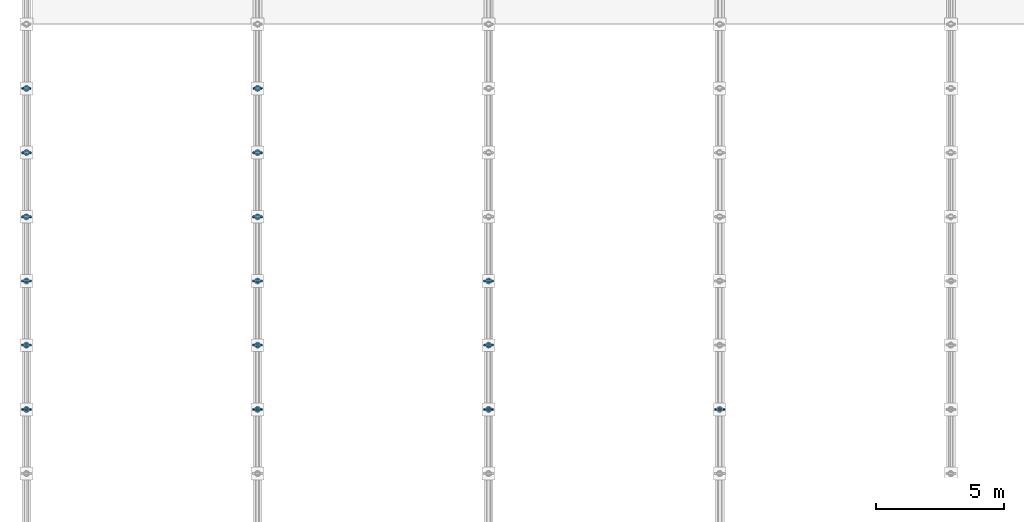
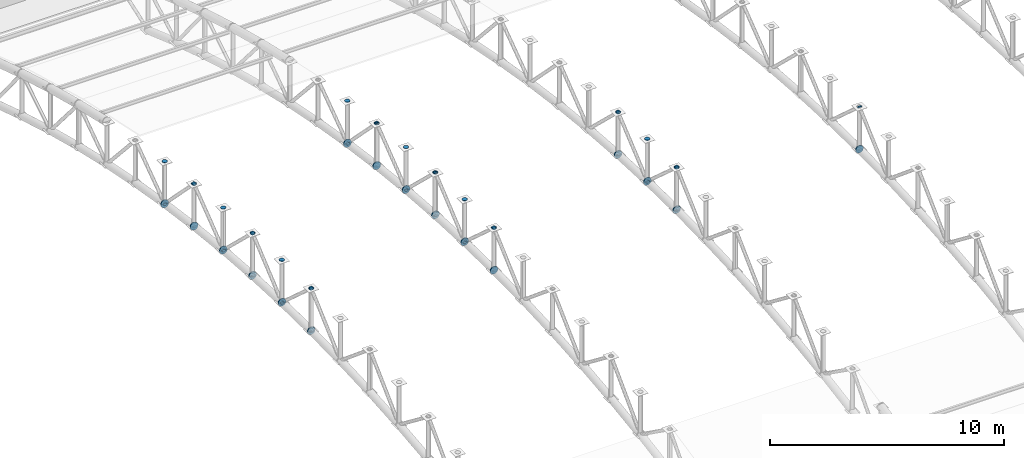
# One storey, part 129 of 195: 94 discrete accessories.
"""IFC4 building model written with IfcOpenShell, lengths in metres."""

from ifc_helpers import new_model, si_unit, direction, frame, origin, origin_2d, place, context, subcontext, project, spatial, circle, extrude, material, element, save


model = new_model("IFC4")

# Units and contexts
model_context = context("Model", 3, precision=1e-05, world=origin(), true_north=direction((0.0, 1.0)))
body_context = subcontext(model_context, "Body", "Model", "MODEL_VIEW")
ifc_project = project(units=[si_unit("LENGTHUNIT", "METRE"), si_unit("AREAUNIT", "SQUARE_METRE"), si_unit("VOLUMEUNIT", "CUBIC_METRE"), si_unit("PLANEANGLEUNIT", "RADIAN"), si_unit("MASSUNIT", "GRAM", prefix="KILO")], contexts=[model_context])

# Site, building, storey
site_placement = place(None, origin())
site = spatial("IfcSite", under=ifc_project, at=site_placement, CompositionType="ELEMENT")
building_placement = place(site_placement, origin())
building = spatial("IfcBuilding", under=site, at=building_placement, Name="Marlcrest Central Station", CompositionType="ELEMENT")
storey_placement = place(building_placement, frame((0.0, 0.0, 9.800048828125)))
storey = spatial("IfcBuildingStorey", under=building, at=storey_placement, Name="L02", CompositionType="ELEMENT", Elevation=9.800048828125)

# Discrete accessories
ifc_material = material(Name="Steel S355", Category="steel")
discrete_accessory_1_placement = place(storey_placement, frame((0.0, 65.97509765625, 4.799560546875), z_axis=(0.0, 0.999879472592, 0.01552547228), x_axis=(-1.0, 0.0, 0.0)))
element("IfcDiscreteAccessory", 1, at=discrete_accessory_1_placement, inside=storey, material=ifc_material, Name="endcap-mem-AC-02-L02-00108-e", ObjectType="END_CAP_PLATE", PredefinedType="BRACKET", context=body_context, shape_type="SweptSolid", body=[
    extrude(circle(Radius=0.185791015625, at=origin_2d()), origin(), (0.0, 0.0, 1.0), 0.0400390625),
])
discrete_accessory_2_placement = place(storey_placement, frame((0.0, 65.9814453125, 6.9833984375), z_axis=(0.0, 0.744955843007, 0.66711377738), x_axis=(-1.0, 0.0, 0.0)))
element("IfcDiscreteAccessory", 2, at=discrete_accessory_2_placement, inside=storey, material=ifc_material, Name="endcap-mem-AD-01-L02-00110-e", ObjectType="END_CAP_PLATE", PredefinedType="BRACKET", context=body_context, shape_type="SweptSolid", body=[
    extrude(circle(Radius=0.092041015625, at=origin_2d()), origin(), (0.0, 0.0, 1.0), 0.0400390625),
])
for number, where, z_axis, x_axis, name in (
    (3, (0.0, 65.985107421875, 4.80029296875), (0.0, 0.999879472592, -0.01552547228), (-1.0, 0.0, 0.0), "endcap-mem-AC-02-L02-00112-s"),
    (4, (0.0, 68.47509765625, 4.76171875), (0.0, 0.999879472592, -0.01552547228), (-1.0, 0.0, 0.0), "endcap-mem-AC-02-L02-00112-e"),
):
    element("IfcDiscreteAccessory", number, at=place(storey_placement, frame(where, z_axis=z_axis, x_axis=x_axis)), inside=storey, material=ifc_material, Name=name, ObjectType="END_CAP_PLATE", PredefinedType="BRACKET", context=body_context, shape_type="SweptSolid", body=[
        extrude(circle(Radius=0.185791015625, at=origin_2d()), origin(), (0.0, 0.0, 1.0), 0.0400390625),
    ])
for number, where, z_axis, x_axis, name in (
    (5, (0.0, 66.0, 4.78515625), (0.0, 0.0, 1.0), (1.0, 0.0, 0.0), "endcap-mem-AP-01-L02-00113-s"),
    (6, (0.0, 66.0, 6.97509765625), (0.0, 0.0, 1.0), (1.0, 0.0, 0.0), "endcap-mem-AP-01-L02-00113-e"),
):
    element("IfcDiscreteAccessory", number, at=place(storey_placement, frame(where, z_axis=z_axis, x_axis=x_axis)), inside=storey, material=ifc_material, Name=name, ObjectType="END_CAP_PLATE", PredefinedType="BRACKET", context=body_context, shape_type="SweptSolid", body=[
        extrude(circle(Radius=0.117431640625, at=origin_2d()), origin(), (0.0, 0.0, 1.0), 0.0400390625),
    ])
for number, where, z_axis, x_axis, name in (
    (7, (0.0, 65.98876953125, 7.010009765625), (0.0, 0.744955843007, -0.66711377738), (-1.0, 0.0, 0.0), "endcap-mem-AD-01-L02-00114-s"),
    (8, (0.0, 68.4814453125, 4.77783203125), (0.0, 0.744955843007, -0.66711377738), (-1.0, 0.0, 0.0), "endcap-mem-AD-01-L02-00114-e"),
):
    element("IfcDiscreteAccessory", number, at=place(storey_placement, frame(where, z_axis=z_axis, x_axis=x_axis)), inside=storey, material=ifc_material, Name=name, ObjectType="END_CAP_PLATE", PredefinedType="BRACKET", context=body_context, shape_type="SweptSolid", body=[
        extrude(circle(Radius=0.092041015625, at=origin_2d()), origin(), (0.0, 0.0, 1.0), 0.0400390625),
    ])
for number, where, z_axis, x_axis, name in (
    (9, (0.0, 68.485107421875, 4.761962890625), (0.0, 0.998916819647, -0.046531574509), (-1.0, 0.0, 0.0), "endcap-mem-AC-02-L02-00116-s"),
    (10, (0.0, 70.97509765625, 4.64599609375), (0.0, 0.998916819647, -0.046531574509), (-1.0, 0.0, 0.0), "endcap-mem-AC-02-L02-00116-e"),
):
    element("IfcDiscreteAccessory", number, at=place(storey_placement, frame(where, z_axis=z_axis, x_axis=x_axis)), inside=storey, material=ifc_material, Name=name, ObjectType="END_CAP_PLATE", PredefinedType="BRACKET", context=body_context, shape_type="SweptSolid", body=[
        extrude(circle(Radius=0.185791015625, at=origin_2d()), origin(), (0.0, 0.0, 1.0), 0.0400390625),
    ])
for number, where, z_axis, x_axis, name in (
    (11, (0.0, 68.5, 4.746337890625), (0.0, 0.0, 1.0), (1.0, 0.0, 0.0), "endcap-mem-AP-01-L02-00117-s"),
    (12, (0.0, 68.5, 6.936279296875), (0.0, 0.0, 1.0), (1.0, 0.0, 0.0), "endcap-mem-AP-01-L02-00117-e"),
):
    element("IfcDiscreteAccessory", number, at=place(storey_placement, frame(where, z_axis=z_axis, x_axis=x_axis)), inside=storey, material=ifc_material, Name=name, ObjectType="END_CAP_PLATE", PredefinedType="BRACKET", context=body_context, shape_type="SweptSolid", body=[
        extrude(circle(Radius=0.117431640625, at=origin_2d()), origin(), (0.0, 0.0, 1.0), 0.0400390625),
    ])
for number, where, z_axis, x_axis, name in (
    (13, (0.0, 68.488525390625, 4.751708984375), (0.0, 0.768159787854, 0.640258182552), (-1.0, 0.0, 0.0), "endcap-mem-AD-01-L02-00118-s"),
    (14, (0.0, 70.980712890625, 6.828857421875), (0.0, 0.768159787854, 0.640258182552), (-1.0, 0.0, 0.0), "endcap-mem-AD-01-L02-00118-e"),
):
    element("IfcDiscreteAccessory", number, at=place(storey_placement, frame(where, z_axis=z_axis, x_axis=x_axis)), inside=storey, material=ifc_material, Name=name, ObjectType="END_CAP_PLATE", PredefinedType="BRACKET", context=body_context, shape_type="SweptSolid", body=[
        extrude(circle(Radius=0.092041015625, at=origin_2d()), origin(), (0.0, 0.0, 1.0), 0.0400390625),
    ])
for number, where, z_axis, x_axis, name in (
    (15, (0.0, 70.985107421875, 4.64599609375), (0.0, 0.997007334767, -0.077307014043), (-1.0, 0.0, 0.0), "endcap-mem-AC-02-L02-00120-s"),
    (16, (0.0, 73.47509765625, 4.452880859375), (0.0, 0.997007334767, -0.077307014043), (-1.0, 0.0, 0.0), "endcap-mem-AC-02-L02-00120-e"),
):
    element("IfcDiscreteAccessory", number, at=place(storey_placement, frame(where, z_axis=z_axis, x_axis=x_axis)), inside=storey, material=ifc_material, Name=name, ObjectType="END_CAP_PLATE", PredefinedType="BRACKET", context=body_context, shape_type="SweptSolid", body=[
        extrude(circle(Radius=0.185791015625, at=origin_2d()), origin(), (0.0, 0.0, 1.0), 0.0400390625),
    ])
for number, where, z_axis, x_axis, name in (
    (17, (0.0, 71.0, 4.6298828125), (0.0, 0.0, 1.0), (1.0, 0.0, 0.0), "endcap-mem-AP-01-L02-00121-s"),
    (18, (0.0, 71.0, 6.820068359375), (0.0, 0.0, 1.0), (1.0, 0.0, 0.0), "endcap-mem-AP-01-L02-00121-e"),
):
    element("IfcDiscreteAccessory", number, at=place(storey_placement, frame(where, z_axis=z_axis, x_axis=x_axis)), inside=storey, material=ifc_material, Name=name, ObjectType="END_CAP_PLATE", PredefinedType="BRACKET", context=body_context, shape_type="SweptSolid", body=[
        extrude(circle(Radius=0.117431640625, at=origin_2d()), origin(), (0.0, 0.0, 1.0), 0.0400390625),
    ])
for number, where, z_axis, x_axis, name in (
    (19, (0.0, 70.9892578125, 6.855224609375), (0.0, 0.722246537655, -0.691635698071), (-1.0, 0.0, 0.0), "endcap-mem-AD-01-L02-00122-s"),
    (20, (0.0, 73.48193359375, 4.46826171875), (0.0, 0.722246537655, -0.691635698071), (-1.0, 0.0, 0.0), "endcap-mem-AD-01-L02-00122-e"),
):
    element("IfcDiscreteAccessory", number, at=place(storey_placement, frame(where, z_axis=z_axis, x_axis=x_axis)), inside=storey, material=ifc_material, Name=name, ObjectType="END_CAP_PLATE", PredefinedType="BRACKET", context=body_context, shape_type="SweptSolid", body=[
        extrude(circle(Radius=0.092041015625, at=origin_2d()), origin(), (0.0, 0.0, 1.0), 0.0400390625),
    ])
for number, where, z_axis, x_axis, name in (
    (21, (0.0, 73.485107421875, 4.45263671875), (0.0, 0.994155341034, -0.107959056565), (-1.0, 0.0, 0.0), "endcap-mem-AC-02-L02-00124-s"),
    (22, (0.0, 75.97509765625, 4.18212890625), (0.0, 0.994155341034, -0.107959056565), (-1.0, 0.0, 0.0), "endcap-mem-AC-02-L02-00124-e"),
):
    element("IfcDiscreteAccessory", number, at=place(storey_placement, frame(where, z_axis=z_axis, x_axis=x_axis)), inside=storey, material=ifc_material, Name=name, ObjectType="END_CAP_PLATE", PredefinedType="BRACKET", context=body_context, shape_type="SweptSolid", body=[
        extrude(circle(Radius=0.185791015625, at=origin_2d()), origin(), (0.0, 0.0, 1.0), 0.0400390625),
    ])
for number, where, z_axis, x_axis, name in (
    (23, (0.0, 73.5, 4.43603515625), (0.0, 0.0, 1.0), (1.0, 0.0, 0.0), "endcap-mem-AP-01-L02-00125-s"),
    (24, (0.0, 73.5, 6.6259765625), (0.0, 0.0, 1.0), (1.0, 0.0, 0.0), "endcap-mem-AP-01-L02-00125-e"),
):
    element("IfcDiscreteAccessory", number, at=place(storey_placement, frame(where, z_axis=z_axis, x_axis=x_axis)), inside=storey, material=ifc_material, Name=name, ObjectType="END_CAP_PLATE", PredefinedType="BRACKET", context=body_context, shape_type="SweptSolid", body=[
        extrude(circle(Radius=0.117431640625, at=origin_2d()), origin(), (0.0, 0.0, 1.0), 0.0400390625),
    ])
for number, where, z_axis, x_axis, name in (
    (25, (0.0, 73.488037109375, 4.441650390625), (0.0, 0.791798282026, 0.610782678684), (-1.0, 0.0, 0.0), "endcap-mem-AD-01-L02-00126-s"),
    (26, (0.0, 75.980224609375, 6.364013671875), (0.0, 0.791798282026, 0.610782678684), (-1.0, 0.0, 0.0), "endcap-mem-AD-01-L02-00126-e"),
):
    element("IfcDiscreteAccessory", number, at=place(storey_placement, frame(where, z_axis=z_axis, x_axis=x_axis)), inside=storey, material=ifc_material, Name=name, ObjectType="END_CAP_PLATE", PredefinedType="BRACKET", context=body_context, shape_type="SweptSolid", body=[
        extrude(circle(Radius=0.092041015625, at=origin_2d()), origin(), (0.0, 0.0, 1.0), 0.0400390625),
    ])
for number, where, z_axis, x_axis, name in (
    (27, (0.0, 75.985107421875, 4.181396484375), (0.0, 0.990402740232, -0.138211476152), (-1.0, 0.0, 0.0), "endcap-mem-AC-02-L02-00128-s"),
    (28, (0.0, 78.475341796875, 3.833984375), (0.0, 0.990402740232, -0.138211476152), (-1.0, 0.0, 0.0), "endcap-mem-AC-02-L02-00128-e"),
):
    element("IfcDiscreteAccessory", number, at=place(storey_placement, frame(where, z_axis=z_axis, x_axis=x_axis)), inside=storey, material=ifc_material, Name=name, ObjectType="END_CAP_PLATE", PredefinedType="BRACKET", context=body_context, shape_type="SweptSolid", body=[
        extrude(circle(Radius=0.185791015625, at=origin_2d()), origin(), (0.0, 0.0, 1.0), 0.0400390625),
    ])
for number, where, z_axis, x_axis, name in (
    (29, (0.0, 76.0, 4.16455078125), (0.0, 0.0, 1.0), (1.0, 0.0, 0.0), "endcap-mem-AP-01-L02-00129-s"),
    (30, (0.0, 76.0, 6.3544921875), (0.0, 0.0, 1.0), (1.0, 0.0, 0.0), "endcap-mem-AP-01-L02-00129-e"),
):
    element("IfcDiscreteAccessory", number, at=place(storey_placement, frame(where, z_axis=z_axis, x_axis=x_axis)), inside=storey, material=ifc_material, Name=name, ObjectType="END_CAP_PLATE", PredefinedType="BRACKET", context=body_context, shape_type="SweptSolid", body=[
        extrude(circle(Radius=0.117431640625, at=origin_2d()), origin(), (0.0, 0.0, 1.0), 0.0400390625),
    ])
for number, where, z_axis, x_axis, name in (
    (31, (0.0, 75.989501953125, 6.39013671875), (0.0, 0.70023547796, -0.713911952139), (-1.0, 0.0, 0.0), "endcap-mem-AD-01-L02-00130-s"),
    (32, (0.0, 78.482421875, 3.848388671875), (0.0, 0.70023547796, -0.713911952139), (-1.0, 0.0, 0.0), "endcap-mem-AD-01-L02-00130-e"),
):
    element("IfcDiscreteAccessory", number, at=place(storey_placement, frame(where, z_axis=z_axis, x_axis=x_axis)), inside=storey, material=ifc_material, Name=name, ObjectType="END_CAP_PLATE", PredefinedType="BRACKET", context=body_context, shape_type="SweptSolid", body=[
        extrude(circle(Radius=0.092041015625, at=origin_2d()), origin(), (0.0, 0.0, 1.0), 0.0400390625),
    ])
discrete_accessory_3_placement = place(storey_placement, frame((0.0, 78.485107421875, 3.8330078125), z_axis=(0.0, 0.98574109921, -0.168269086076), x_axis=(-1.0, 0.0, 0.0)))
element("IfcDiscreteAccessory", 33, at=discrete_accessory_3_placement, inside=storey, material=ifc_material, Name="endcap-mem-AC-02-L02-00132-s", ObjectType="END_CAP_PLATE", PredefinedType="BRACKET", context=body_context, shape_type="SweptSolid", body=[
    extrude(circle(Radius=0.185791015625, at=origin_2d()), origin(), (0.0, 0.0, 1.0), 0.0400390625),
])
for number, where, z_axis, x_axis, name in (
    (34, (0.0, 78.5, 3.815673828125), (0.0, 0.0, 1.0), (1.0, 0.0, 0.0), "endcap-mem-AP-01-L02-00133-s"),
    (35, (0.0, 78.5, 6.005615234375), (0.0, 0.0, 1.0), (1.0, 0.0, 0.0), "endcap-mem-AP-01-L02-00133-e"),
):
    element("IfcDiscreteAccessory", number, at=place(storey_placement, frame(where, z_axis=z_axis, x_axis=x_axis)), inside=storey, material=ifc_material, Name=name, ObjectType="END_CAP_PLATE", PredefinedType="BRACKET", context=body_context, shape_type="SweptSolid", body=[
        extrude(circle(Radius=0.117431640625, at=origin_2d()), origin(), (0.0, 0.0, 1.0), 0.0400390625),
    ])
discrete_accessory_4_placement = place(storey_placement, frame((0.0, 78.48779296875, 3.82177734375), z_axis=(0.0, 0.815661132754, 0.57852996164), x_axis=(-1.0, 0.0, 0.0)))
element("IfcDiscreteAccessory", 36, at=discrete_accessory_4_placement, inside=storey, material=ifc_material, Name="endcap-mem-AD-01-L02-00134-s", ObjectType="END_CAP_PLATE", PredefinedType="BRACKET", context=body_context, shape_type="SweptSolid", body=[
    extrude(circle(Radius=0.092041015625, at=origin_2d()), origin(), (0.0, 0.0, 1.0), 0.0400390625),
])
discrete_accessory_5_placement = place(storey_placement, frame((9.0, 65.97509765625, 4.799560546875), z_axis=(0.0, 0.999879472592, 0.01552547228), x_axis=(-1.0, 0.0, 0.0)))
element("IfcDiscreteAccessory", 37, at=discrete_accessory_5_placement, inside=storey, material=ifc_material, Name="endcap-mem-AC-02-L02-00224-e", ObjectType="END_CAP_PLATE", PredefinedType="BRACKET", context=body_context, shape_type="SweptSolid", body=[
    extrude(circle(Radius=0.185791015625, at=origin_2d()), origin(), (0.0, 0.0, 1.0), 0.0400390625),
])
discrete_accessory_6_placement = place(storey_placement, frame((9.0, 65.9814453125, 6.9833984375), z_axis=(0.0, 0.744955843007, 0.66711377738), x_axis=(-1.0, 0.0, 0.0)))
element("IfcDiscreteAccessory", 38, at=discrete_accessory_6_placement, inside=storey, material=ifc_material, Name="endcap-mem-AD-01-L02-00226-e", ObjectType="END_CAP_PLATE", PredefinedType="BRACKET", context=body_context, shape_type="SweptSolid", body=[
    extrude(circle(Radius=0.092041015625, at=origin_2d()), origin(), (0.0, 0.0, 1.0), 0.0400390625),
])
for number, where, z_axis, x_axis, name in (
    (39, (9.0, 65.985107421875, 4.80029296875), (0.0, 0.999879472592, -0.01552547228), (-1.0, 0.0, 0.0), "endcap-mem-AC-02-L02-00228-s"),
    (40, (9.0, 68.47509765625, 4.76171875), (0.0, 0.999879472592, -0.01552547228), (-1.0, 0.0, 0.0), "endcap-mem-AC-02-L02-00228-e"),
):
    element("IfcDiscreteAccessory", number, at=place(storey_placement, frame(where, z_axis=z_axis, x_axis=x_axis)), inside=storey, material=ifc_material, Name=name, ObjectType="END_CAP_PLATE", PredefinedType="BRACKET", context=body_context, shape_type="SweptSolid", body=[
        extrude(circle(Radius=0.185791015625, at=origin_2d()), origin(), (0.0, 0.0, 1.0), 0.0400390625),
    ])
for number, where, z_axis, x_axis, name in (
    (41, (9.0, 66.0, 4.78515625), (0.0, 0.0, 1.0), (1.0, 0.0, 0.0), "endcap-mem-AP-01-L02-00229-s"),
    (42, (9.0, 66.0, 6.97509765625), (0.0, 0.0, 1.0), (1.0, 0.0, 0.0), "endcap-mem-AP-01-L02-00229-e"),
):
    element("IfcDiscreteAccessory", number, at=place(storey_placement, frame(where, z_axis=z_axis, x_axis=x_axis)), inside=storey, material=ifc_material, Name=name, ObjectType="END_CAP_PLATE", PredefinedType="BRACKET", context=body_context, shape_type="SweptSolid", body=[
        extrude(circle(Radius=0.117431640625, at=origin_2d()), origin(), (0.0, 0.0, 1.0), 0.0400390625),
    ])
for number, where, z_axis, x_axis, name in (
    (43, (9.0, 65.98876953125, 7.010009765625), (0.0, 0.744955843007, -0.66711377738), (-1.0, 0.0, 0.0), "endcap-mem-AD-01-L02-00230-s"),
    (44, (9.0, 68.4814453125, 4.77783203125), (0.0, 0.744955843007, -0.66711377738), (-1.0, 0.0, 0.0), "endcap-mem-AD-01-L02-00230-e"),
):
    element("IfcDiscreteAccessory", number, at=place(storey_placement, frame(where, z_axis=z_axis, x_axis=x_axis)), inside=storey, material=ifc_material, Name=name, ObjectType="END_CAP_PLATE", PredefinedType="BRACKET", context=body_context, shape_type="SweptSolid", body=[
        extrude(circle(Radius=0.092041015625, at=origin_2d()), origin(), (0.0, 0.0, 1.0), 0.0400390625),
    ])
for number, where, z_axis, x_axis, name in (
    (45, (9.0, 68.485107421875, 4.761962890625), (0.0, 0.998916819647, -0.046531574509), (-1.0, 0.0, 0.0), "endcap-mem-AC-02-L02-00232-s"),
    (46, (9.0, 70.97509765625, 4.64599609375), (0.0, 0.998916819647, -0.046531574509), (-1.0, 0.0, 0.0), "endcap-mem-AC-02-L02-00232-e"),
):
    element("IfcDiscreteAccessory", number, at=place(storey_placement, frame(where, z_axis=z_axis, x_axis=x_axis)), inside=storey, material=ifc_material, Name=name, ObjectType="END_CAP_PLATE", PredefinedType="BRACKET", context=body_context, shape_type="SweptSolid", body=[
        extrude(circle(Radius=0.185791015625, at=origin_2d()), origin(), (0.0, 0.0, 1.0), 0.0400390625),
    ])
for number, where, z_axis, x_axis, name in (
    (47, (9.0, 68.5, 4.746337890625), (0.0, 0.0, 1.0), (1.0, 0.0, 0.0), "endcap-mem-AP-01-L02-00233-s"),
    (48, (9.0, 68.5, 6.936279296875), (0.0, 0.0, 1.0), (1.0, 0.0, 0.0), "endcap-mem-AP-01-L02-00233-e"),
):
    element("IfcDiscreteAccessory", number, at=place(storey_placement, frame(where, z_axis=z_axis, x_axis=x_axis)), inside=storey, material=ifc_material, Name=name, ObjectType="END_CAP_PLATE", PredefinedType="BRACKET", context=body_context, shape_type="SweptSolid", body=[
        extrude(circle(Radius=0.117431640625, at=origin_2d()), origin(), (0.0, 0.0, 1.0), 0.0400390625),
    ])
for number, where, z_axis, x_axis, name in (
    (49, (9.0, 68.488525390625, 4.751708984375), (0.0, 0.768159787854, 0.640258182552), (-1.0, 0.0, 0.0), "endcap-mem-AD-01-L02-00234-s"),
    (50, (9.0, 70.980712890625, 6.828857421875), (0.0, 0.768159787854, 0.640258182552), (-1.0, 0.0, 0.0), "endcap-mem-AD-01-L02-00234-e"),
):
    element("IfcDiscreteAccessory", number, at=place(storey_placement, frame(where, z_axis=z_axis, x_axis=x_axis)), inside=storey, material=ifc_material, Name=name, ObjectType="END_CAP_PLATE", PredefinedType="BRACKET", context=body_context, shape_type="SweptSolid", body=[
        extrude(circle(Radius=0.092041015625, at=origin_2d()), origin(), (0.0, 0.0, 1.0), 0.0400390625),
    ])
for number, where, z_axis, x_axis, name in (
    (51, (9.0, 70.985107421875, 4.64599609375), (0.0, 0.997007334767, -0.077307014043), (-1.0, 0.0, 0.0), "endcap-mem-AC-02-L02-00236-s"),
    (52, (9.0, 73.47509765625, 4.452880859375), (0.0, 0.997007334767, -0.077307014043), (-1.0, 0.0, 0.0), "endcap-mem-AC-02-L02-00236-e"),
):
    element("IfcDiscreteAccessory", number, at=place(storey_placement, frame(where, z_axis=z_axis, x_axis=x_axis)), inside=storey, material=ifc_material, Name=name, ObjectType="END_CAP_PLATE", PredefinedType="BRACKET", context=body_context, shape_type="SweptSolid", body=[
        extrude(circle(Radius=0.185791015625, at=origin_2d()), origin(), (0.0, 0.0, 1.0), 0.0400390625),
    ])
for number, where, z_axis, x_axis, name in (
    (53, (9.0, 71.0, 4.6298828125), (0.0, 0.0, 1.0), (1.0, 0.0, 0.0), "endcap-mem-AP-01-L02-00237-s"),
    (54, (9.0, 71.0, 6.820068359375), (0.0, 0.0, 1.0), (1.0, 0.0, 0.0), "endcap-mem-AP-01-L02-00237-e"),
):
    element("IfcDiscreteAccessory", number, at=place(storey_placement, frame(where, z_axis=z_axis, x_axis=x_axis)), inside=storey, material=ifc_material, Name=name, ObjectType="END_CAP_PLATE", PredefinedType="BRACKET", context=body_context, shape_type="SweptSolid", body=[
        extrude(circle(Radius=0.117431640625, at=origin_2d()), origin(), (0.0, 0.0, 1.0), 0.0400390625),
    ])
for number, where, z_axis, x_axis, name in (
    (55, (9.0, 70.9892578125, 6.855224609375), (0.0, 0.722246537655, -0.691635698071), (-1.0, 0.0, 0.0), "endcap-mem-AD-01-L02-00238-s"),
    (56, (9.0, 73.48193359375, 4.46826171875), (0.0, 0.722246537655, -0.691635698071), (-1.0, 0.0, 0.0), "endcap-mem-AD-01-L02-00238-e"),
):
    element("IfcDiscreteAccessory", number, at=place(storey_placement, frame(where, z_axis=z_axis, x_axis=x_axis)), inside=storey, material=ifc_material, Name=name, ObjectType="END_CAP_PLATE", PredefinedType="BRACKET", context=body_context, shape_type="SweptSolid", body=[
        extrude(circle(Radius=0.092041015625, at=origin_2d()), origin(), (0.0, 0.0, 1.0), 0.0400390625),
    ])
for number, where, z_axis, x_axis, name in (
    (57, (9.0, 73.485107421875, 4.45263671875), (0.0, 0.994155341034, -0.107959056565), (-1.0, 0.0, 0.0), "endcap-mem-AC-02-L02-00240-s"),
    (58, (9.0, 75.97509765625, 4.18212890625), (0.0, 0.994155341034, -0.107959056565), (-1.0, 0.0, 0.0), "endcap-mem-AC-02-L02-00240-e"),
):
    element("IfcDiscreteAccessory", number, at=place(storey_placement, frame(where, z_axis=z_axis, x_axis=x_axis)), inside=storey, material=ifc_material, Name=name, ObjectType="END_CAP_PLATE", PredefinedType="BRACKET", context=body_context, shape_type="SweptSolid", body=[
        extrude(circle(Radius=0.185791015625, at=origin_2d()), origin(), (0.0, 0.0, 1.0), 0.0400390625),
    ])
for number, where, z_axis, x_axis, name in (
    (59, (9.0, 73.5, 4.43603515625), (0.0, 0.0, 1.0), (1.0, 0.0, 0.0), "endcap-mem-AP-01-L02-00241-s"),
    (60, (9.0, 73.5, 6.6259765625), (0.0, 0.0, 1.0), (1.0, 0.0, 0.0), "endcap-mem-AP-01-L02-00241-e"),
):
    element("IfcDiscreteAccessory", number, at=place(storey_placement, frame(where, z_axis=z_axis, x_axis=x_axis)), inside=storey, material=ifc_material, Name=name, ObjectType="END_CAP_PLATE", PredefinedType="BRACKET", context=body_context, shape_type="SweptSolid", body=[
        extrude(circle(Radius=0.117431640625, at=origin_2d()), origin(), (0.0, 0.0, 1.0), 0.0400390625),
    ])
for number, where, z_axis, x_axis, name in (
    (61, (9.0, 73.488037109375, 4.441650390625), (0.0, 0.791798282026, 0.610782678684), (-1.0, 0.0, 0.0), "endcap-mem-AD-01-L02-00242-s"),
    (62, (9.0, 75.980224609375, 6.364013671875), (0.0, 0.791798282026, 0.610782678684), (-1.0, 0.0, 0.0), "endcap-mem-AD-01-L02-00242-e"),
):
    element("IfcDiscreteAccessory", number, at=place(storey_placement, frame(where, z_axis=z_axis, x_axis=x_axis)), inside=storey, material=ifc_material, Name=name, ObjectType="END_CAP_PLATE", PredefinedType="BRACKET", context=body_context, shape_type="SweptSolid", body=[
        extrude(circle(Radius=0.092041015625, at=origin_2d()), origin(), (0.0, 0.0, 1.0), 0.0400390625),
    ])
for number, where, z_axis, x_axis, name in (
    (63, (9.0, 75.985107421875, 4.181396484375), (0.0, 0.990402740232, -0.138211476152), (-1.0, 0.0, 0.0), "endcap-mem-AC-02-L02-00244-s"),
    (64, (9.0, 78.475341796875, 3.833984375), (0.0, 0.990402740232, -0.138211476152), (-1.0, 0.0, 0.0), "endcap-mem-AC-02-L02-00244-e"),
):
    element("IfcDiscreteAccessory", number, at=place(storey_placement, frame(where, z_axis=z_axis, x_axis=x_axis)), inside=storey, material=ifc_material, Name=name, ObjectType="END_CAP_PLATE", PredefinedType="BRACKET", context=body_context, shape_type="SweptSolid", body=[
        extrude(circle(Radius=0.185791015625, at=origin_2d()), origin(), (0.0, 0.0, 1.0), 0.0400390625),
    ])
for number, where, z_axis, x_axis, name in (
    (65, (9.0, 76.0, 4.16455078125), (0.0, 0.0, 1.0), (1.0, 0.0, 0.0), "endcap-mem-AP-01-L02-00245-s"),
    (66, (9.0, 76.0, 6.3544921875), (0.0, 0.0, 1.0), (1.0, 0.0, 0.0), "endcap-mem-AP-01-L02-00245-e"),
):
    element("IfcDiscreteAccessory", number, at=place(storey_placement, frame(where, z_axis=z_axis, x_axis=x_axis)), inside=storey, material=ifc_material, Name=name, ObjectType="END_CAP_PLATE", PredefinedType="BRACKET", context=body_context, shape_type="SweptSolid", body=[
        extrude(circle(Radius=0.117431640625, at=origin_2d()), origin(), (0.0, 0.0, 1.0), 0.0400390625),
    ])
for number, where, z_axis, x_axis, name in (
    (67, (9.0, 75.989501953125, 6.39013671875), (0.0, 0.70023547796, -0.713911952139), (-1.0, 0.0, 0.0), "endcap-mem-AD-01-L02-00246-s"),
    (68, (9.0, 78.482421875, 3.848388671875), (0.0, 0.70023547796, -0.713911952139), (-1.0, 0.0, 0.0), "endcap-mem-AD-01-L02-00246-e"),
):
    element("IfcDiscreteAccessory", number, at=place(storey_placement, frame(where, z_axis=z_axis, x_axis=x_axis)), inside=storey, material=ifc_material, Name=name, ObjectType="END_CAP_PLATE", PredefinedType="BRACKET", context=body_context, shape_type="SweptSolid", body=[
        extrude(circle(Radius=0.092041015625, at=origin_2d()), origin(), (0.0, 0.0, 1.0), 0.0400390625),
    ])
discrete_accessory_7_placement = place(storey_placement, frame((9.0, 78.485107421875, 3.8330078125), z_axis=(0.0, 0.98574109921, -0.168269086076), x_axis=(-1.0, 0.0, 0.0)))
element("IfcDiscreteAccessory", 69, at=discrete_accessory_7_placement, inside=storey, material=ifc_material, Name="endcap-mem-AC-02-L02-00248-s", ObjectType="END_CAP_PLATE", PredefinedType="BRACKET", context=body_context, shape_type="SweptSolid", body=[
    extrude(circle(Radius=0.185791015625, at=origin_2d()), origin(), (0.0, 0.0, 1.0), 0.0400390625),
])
for number, where, z_axis, x_axis, name in (
    (70, (9.0, 78.5, 3.815673828125), (0.0, 0.0, 1.0), (1.0, 0.0, 0.0), "endcap-mem-AP-01-L02-00249-s"),
    (71, (9.0, 78.5, 6.005615234375), (0.0, 0.0, 1.0), (1.0, 0.0, 0.0), "endcap-mem-AP-01-L02-00249-e"),
):
    element("IfcDiscreteAccessory", number, at=place(storey_placement, frame(where, z_axis=z_axis, x_axis=x_axis)), inside=storey, material=ifc_material, Name=name, ObjectType="END_CAP_PLATE", PredefinedType="BRACKET", context=body_context, shape_type="SweptSolid", body=[
        extrude(circle(Radius=0.117431640625, at=origin_2d()), origin(), (0.0, 0.0, 1.0), 0.0400390625),
    ])
discrete_accessory_8_placement = place(storey_placement, frame((9.0, 78.48779296875, 3.82177734375), z_axis=(0.0, 0.815661132754, 0.57852996164), x_axis=(-1.0, 0.0, 0.0)))
element("IfcDiscreteAccessory", 72, at=discrete_accessory_8_placement, inside=storey, material=ifc_material, Name="endcap-mem-AD-01-L02-00250-s", ObjectType="END_CAP_PLATE", PredefinedType="BRACKET", context=body_context, shape_type="SweptSolid", body=[
    extrude(circle(Radius=0.092041015625, at=origin_2d()), origin(), (0.0, 0.0, 1.0), 0.0400390625),
])
discrete_accessory_9_placement = place(storey_placement, frame((18.0, 65.97509765625, 4.799560546875), z_axis=(0.0, 0.999879472592, 0.01552547228), x_axis=(-1.0, 0.0, 0.0)))
element("IfcDiscreteAccessory", 73, at=discrete_accessory_9_placement, inside=storey, material=ifc_material, Name="endcap-mem-AC-02-L02-00340-e", ObjectType="END_CAP_PLATE", PredefinedType="BRACKET", context=body_context, shape_type="SweptSolid", body=[
    extrude(circle(Radius=0.185791015625, at=origin_2d()), origin(), (0.0, 0.0, 1.0), 0.0400390625),
])
discrete_accessory_10_placement = place(storey_placement, frame((18.0, 65.9814453125, 6.9833984375), z_axis=(0.0, 0.744955843007, 0.66711377738), x_axis=(-1.0, 0.0, 0.0)))
element("IfcDiscreteAccessory", 74, at=discrete_accessory_10_placement, inside=storey, material=ifc_material, Name="endcap-mem-AD-01-L02-00342-e", ObjectType="END_CAP_PLATE", PredefinedType="BRACKET", context=body_context, shape_type="SweptSolid", body=[
    extrude(circle(Radius=0.092041015625, at=origin_2d()), origin(), (0.0, 0.0, 1.0), 0.0400390625),
])
for number, where, z_axis, x_axis, name in (
    (75, (18.0, 65.985107421875, 4.80029296875), (0.0, 0.999879472592, -0.01552547228), (-1.0, 0.0, 0.0), "endcap-mem-AC-02-L02-00344-s"),
    (76, (18.0, 68.47509765625, 4.76171875), (0.0, 0.999879472592, -0.01552547228), (-1.0, 0.0, 0.0), "endcap-mem-AC-02-L02-00344-e"),
):
    element("IfcDiscreteAccessory", number, at=place(storey_placement, frame(where, z_axis=z_axis, x_axis=x_axis)), inside=storey, material=ifc_material, Name=name, ObjectType="END_CAP_PLATE", PredefinedType="BRACKET", context=body_context, shape_type="SweptSolid", body=[
        extrude(circle(Radius=0.185791015625, at=origin_2d()), origin(), (0.0, 0.0, 1.0), 0.0400390625),
    ])
for number, where, z_axis, x_axis, name in (
    (77, (18.0, 66.0, 4.78515625), (0.0, 0.0, 1.0), (1.0, 0.0, 0.0), "endcap-mem-AP-01-L02-00345-s"),
    (78, (18.0, 66.0, 6.97509765625), (0.0, 0.0, 1.0), (1.0, 0.0, 0.0), "endcap-mem-AP-01-L02-00345-e"),
):
    element("IfcDiscreteAccessory", number, at=place(storey_placement, frame(where, z_axis=z_axis, x_axis=x_axis)), inside=storey, material=ifc_material, Name=name, ObjectType="END_CAP_PLATE", PredefinedType="BRACKET", context=body_context, shape_type="SweptSolid", body=[
        extrude(circle(Radius=0.117431640625, at=origin_2d()), origin(), (0.0, 0.0, 1.0), 0.0400390625),
    ])
for number, where, z_axis, x_axis, name in (
    (79, (18.0, 65.98876953125, 7.010009765625), (0.0, 0.744955843007, -0.66711377738), (-1.0, 0.0, 0.0), "endcap-mem-AD-01-L02-00346-s"),
    (80, (18.0, 68.4814453125, 4.77783203125), (0.0, 0.744955843007, -0.66711377738), (-1.0, 0.0, 0.0), "endcap-mem-AD-01-L02-00346-e"),
):
    element("IfcDiscreteAccessory", number, at=place(storey_placement, frame(where, z_axis=z_axis, x_axis=x_axis)), inside=storey, material=ifc_material, Name=name, ObjectType="END_CAP_PLATE", PredefinedType="BRACKET", context=body_context, shape_type="SweptSolid", body=[
        extrude(circle(Radius=0.092041015625, at=origin_2d()), origin(), (0.0, 0.0, 1.0), 0.0400390625),
    ])
for number, where, z_axis, x_axis, name in (
    (81, (18.0, 68.485107421875, 4.761962890625), (0.0, 0.998916819647, -0.046531574509), (-1.0, 0.0, 0.0), "endcap-mem-AC-02-L02-00348-s"),
    (82, (18.0, 70.97509765625, 4.64599609375), (0.0, 0.998916819647, -0.046531574509), (-1.0, 0.0, 0.0), "endcap-mem-AC-02-L02-00348-e"),
):
    element("IfcDiscreteAccessory", number, at=place(storey_placement, frame(where, z_axis=z_axis, x_axis=x_axis)), inside=storey, material=ifc_material, Name=name, ObjectType="END_CAP_PLATE", PredefinedType="BRACKET", context=body_context, shape_type="SweptSolid", body=[
        extrude(circle(Radius=0.185791015625, at=origin_2d()), origin(), (0.0, 0.0, 1.0), 0.0400390625),
    ])
for number, where, z_axis, x_axis, name in (
    (83, (18.0, 68.5, 4.746337890625), (0.0, 0.0, 1.0), (1.0, 0.0, 0.0), "endcap-mem-AP-01-L02-00349-s"),
    (84, (18.0, 68.5, 6.936279296875), (0.0, 0.0, 1.0), (1.0, 0.0, 0.0), "endcap-mem-AP-01-L02-00349-e"),
):
    element("IfcDiscreteAccessory", number, at=place(storey_placement, frame(where, z_axis=z_axis, x_axis=x_axis)), inside=storey, material=ifc_material, Name=name, ObjectType="END_CAP_PLATE", PredefinedType="BRACKET", context=body_context, shape_type="SweptSolid", body=[
        extrude(circle(Radius=0.117431640625, at=origin_2d()), origin(), (0.0, 0.0, 1.0), 0.0400390625),
    ])
for number, where, z_axis, x_axis, name in (
    (85, (18.0, 68.488525390625, 4.751708984375), (0.0, 0.768159787854, 0.640258182552), (-1.0, 0.0, 0.0), "endcap-mem-AD-01-L02-00350-s"),
    (86, (18.0, 70.980712890625, 6.828857421875), (0.0, 0.768159787854, 0.640258182552), (-1.0, 0.0, 0.0), "endcap-mem-AD-01-L02-00350-e"),
):
    element("IfcDiscreteAccessory", number, at=place(storey_placement, frame(where, z_axis=z_axis, x_axis=x_axis)), inside=storey, material=ifc_material, Name=name, ObjectType="END_CAP_PLATE", PredefinedType="BRACKET", context=body_context, shape_type="SweptSolid", body=[
        extrude(circle(Radius=0.092041015625, at=origin_2d()), origin(), (0.0, 0.0, 1.0), 0.0400390625),
    ])
discrete_accessory_11_placement = place(storey_placement, frame((18.0, 70.985107421875, 4.64599609375), z_axis=(0.0, 0.997007334767, -0.077307014043), x_axis=(-1.0, 0.0, 0.0)))
element("IfcDiscreteAccessory", 87, at=discrete_accessory_11_placement, inside=storey, material=ifc_material, Name="endcap-mem-AC-02-L02-00352-s", ObjectType="END_CAP_PLATE", PredefinedType="BRACKET", context=body_context, shape_type="SweptSolid", body=[
    extrude(circle(Radius=0.185791015625, at=origin_2d()), origin(), (0.0, 0.0, 1.0), 0.0400390625),
])
for number, where, z_axis, x_axis, name in (
    (88, (18.0, 71.0, 4.6298828125), (0.0, 0.0, 1.0), (1.0, 0.0, 0.0), "endcap-mem-AP-01-L02-00353-s"),
    (89, (18.0, 71.0, 6.820068359375), (0.0, 0.0, 1.0), (1.0, 0.0, 0.0), "endcap-mem-AP-01-L02-00353-e"),
):
    element("IfcDiscreteAccessory", number, at=place(storey_placement, frame(where, z_axis=z_axis, x_axis=x_axis)), inside=storey, material=ifc_material, Name=name, ObjectType="END_CAP_PLATE", PredefinedType="BRACKET", context=body_context, shape_type="SweptSolid", body=[
        extrude(circle(Radius=0.117431640625, at=origin_2d()), origin(), (0.0, 0.0, 1.0), 0.0400390625),
    ])
discrete_accessory_12_placement = place(storey_placement, frame((18.0, 70.9892578125, 6.855224609375), z_axis=(0.0, 0.722246537655, -0.691635698071), x_axis=(-1.0, 0.0, 0.0)))
element("IfcDiscreteAccessory", 90, at=discrete_accessory_12_placement, inside=storey, material=ifc_material, Name="endcap-mem-AD-01-L02-00354-s", ObjectType="END_CAP_PLATE", PredefinedType="BRACKET", context=body_context, shape_type="SweptSolid", body=[
    extrude(circle(Radius=0.092041015625, at=origin_2d()), origin(), (0.0, 0.0, 1.0), 0.0400390625),
])
discrete_accessory_13_placement = place(storey_placement, frame((27.0, 65.97509765625, 4.799560546875), z_axis=(0.0, 0.999879472592, 0.01552547228), x_axis=(-1.0, 0.0, 0.0)))
element("IfcDiscreteAccessory", 91, at=discrete_accessory_13_placement, inside=storey, material=ifc_material, Name="endcap-mem-AC-02-L02-00456-e", ObjectType="END_CAP_PLATE", PredefinedType="BRACKET", context=body_context, shape_type="SweptSolid", body=[
    extrude(circle(Radius=0.185791015625, at=origin_2d()), origin(), (0.0, 0.0, 1.0), 0.0400390625),
])
discrete_accessory_14_placement = place(storey_placement, frame((27.0, 65.9814453125, 6.9833984375), z_axis=(0.0, 0.744955843007, 0.66711377738), x_axis=(-1.0, 0.0, 0.0)))
element("IfcDiscreteAccessory", 92, at=discrete_accessory_14_placement, inside=storey, material=ifc_material, Name="endcap-mem-AD-01-L02-00458-e", ObjectType="END_CAP_PLATE", PredefinedType="BRACKET", context=body_context, shape_type="SweptSolid", body=[
    extrude(circle(Radius=0.092041015625, at=origin_2d()), origin(), (0.0, 0.0, 1.0), 0.0400390625),
])
discrete_accessory_15_placement = place(storey_placement, frame((27.0, 65.985107421875, 4.80029296875), z_axis=(0.0, 0.999879472592, -0.01552547228), x_axis=(-1.0, 0.0, 0.0)))
element("IfcDiscreteAccessory", 93, at=discrete_accessory_15_placement, inside=storey, material=ifc_material, Name="endcap-mem-AC-02-L02-00460-s", ObjectType="END_CAP_PLATE", PredefinedType="BRACKET", context=body_context, shape_type="SweptSolid", body=[
    extrude(circle(Radius=0.185791015625, at=origin_2d()), origin(), (0.0, 0.0, 1.0), 0.0400390625),
])
discrete_accessory_16_placement = place(storey_placement, frame((27.0, 66.0, 4.78515625), z_axis=(0.0, 0.0, 1.0), x_axis=(1.0, 0.0, 0.0)))
element("IfcDiscreteAccessory", 94, at=discrete_accessory_16_placement, inside=storey, material=ifc_material, Name="endcap-mem-AP-01-L02-00461-s", ObjectType="END_CAP_PLATE", PredefinedType="BRACKET", context=body_context, shape_type="SweptSolid", body=[
    extrude(circle(Radius=0.117431640625, at=origin_2d()), origin(), (0.0, 0.0, 1.0), 0.0400390625),
])

save(model, "model.ifc")
